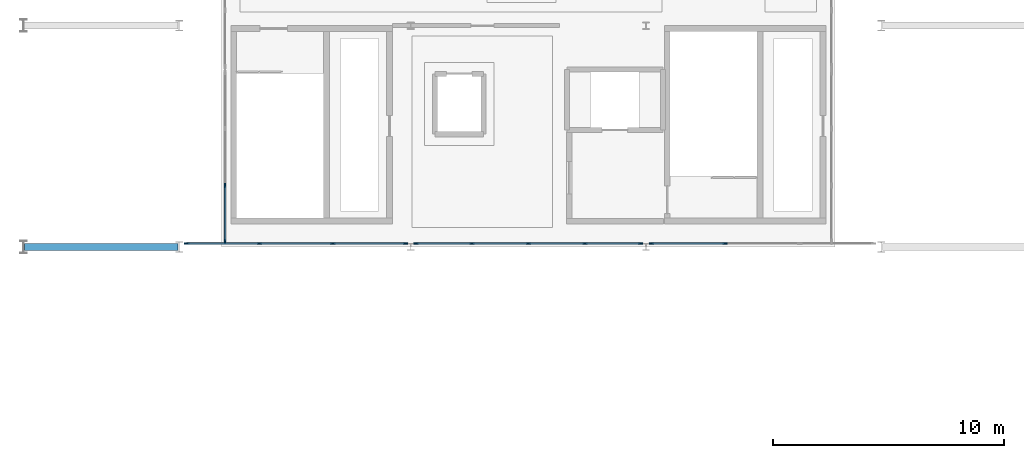
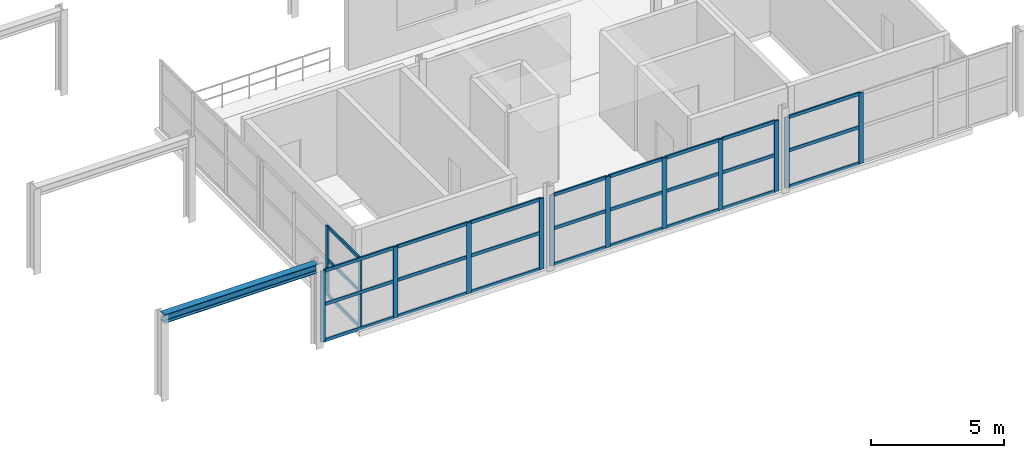
# One storey, part 14 of 52: 40 members, 1 beam, 4 elements without a shape of their own.
"""IFC4 building model written with IfcOpenShell, lengths in metres."""

from ifc_helpers import new_model, si_unit, direction, frame, origin, origin_2d, place, context, subcontext, project, spatial, rectangle, i_section, extrude, material, layer, layer_set, material_profile, profile_set, type_object, element, aggregate, save


model = new_model("IFC4")

# Units and contexts
model_context = context("Model", 3, precision=1e-05, world=origin(), true_north=direction((0.0, 1.0)))
body_context = subcontext(model_context, "Body", "Model", "MODEL_VIEW")
ifc_project = project(units=[si_unit("LENGTHUNIT", "METRE"), si_unit("AREAUNIT", "SQUARE_METRE"), si_unit("VOLUMEUNIT", "CUBIC_METRE"), si_unit("PLANEANGLEUNIT", "RADIAN"), si_unit("MASSUNIT", "GRAM", prefix="KILO")], contexts=[model_context])

# Site, building, storey
site_placement = place(None, origin())
site = spatial("IfcSite", under=ifc_project, at=site_placement, CompositionType="ELEMENT")
building_placement = place(site_placement, origin())
building = spatial("IfcBuilding", under=site, at=building_placement, Name="Myrtia Square Station", CompositionType="ELEMENT")
storey_placement = place(building_placement, frame((0.0, 0.0, 15.0)))
storey = spatial("IfcBuildingStorey", under=building, at=storey_placement, Name="L03", CompositionType="ELEMENT", Elevation=15.0)

# Beam
ifc_material_1 = material(Name="Steel S355", Category="steel")
ifc_material_profile_1 = material_profile(ifc_material_1, i_section(OverallWidth=0.300048828125, OverallDepth=0.39990234375, WebThickness=0.013427734375, FlangeThickness=0.02392578125, FilletRadius=0.027099609375, at=origin_2d()), Name="HEB 400")
ifc_profile_set_1 = profile_set([ifc_material_profile_1], Name="Steel S355")
beam_type = type_object("IfcBeamType", Name="BM-HEB400", PredefinedType="BEAM", material=ifc_profile_set_1)
beam_placement = place(storey_placement, frame((72.64990234375, 28.800048828125, 3.64990234375), z_axis=(1.0, 0.0, 0.0), x_axis=(0.0, 1.0, 0.0)))
element("IfcBeam", 1, at=beam_placement, inside=storey, type_object=beam_type, Name="Colonnade overhang tie beam 001", PredefinedType="BEAM", context=body_context, shape_type="SweptSolid", body=[
    extrude(i_section(OverallWidth=0.300048828125, OverallDepth=0.39990234375, WebThickness=0.013427734375, FlangeThickness=0.02392578125, FilletRadius=0.027099609375, at=origin_2d()), origin(), (0.0, 0.0, 1.0), 6.650146484375),
])

# Curtain wall, members
ifc_material_2 = material(Name="Dark bronze anodised aluminium", Category="aluminium")
ifc_layer_1 = layer(ifc_material_2, 0.159912109375, Name="Dark bronze anodised aluminium")
ifc_layer_set_1 = layer_set([ifc_layer_1], Name="Dark bronze anodised aluminium")
curtain_wall_type_1 = type_object("IfcCurtainWallType", Name="CW-TYPE-07-740x320", PredefinedType="USERDEFINED", material=ifc_layer_set_1)
curtain_wall_1_placement = place(storey_placement, origin())
curtain_wall_1 = element("IfcCurtainWall", 2, at=curtain_wall_1_placement, inside=storey, type_object=curtain_wall_type_1, Name="Concourse curtain wall CW-L03-033", ObjectType="CONCOURSE CURTAIN WALL", PredefinedType="USERDEFINED")
ifc_material_profile_2 = material_profile(ifc_material_2, rectangle(XDim=0.06494140625, YDim=0.199951171875, at=origin_2d()), Name="ALU-M 65x200")
ifc_profile_set_2 = profile_set([ifc_material_profile_2], Name="Dark bronze anodised aluminium")
member_type_1 = type_object("IfcMemberType", Name="CWM-65x200", PredefinedType="MULLION", material=ifc_profile_set_2)
member_1_placement = place(storey_placement, frame((81.35009765625, 29.032470703125, 0.0), z_axis=(0.0, 0.0, 1.0), x_axis=(-1.0, 0.0, 0.0)))
member_1 = element("IfcMember", 3, at=member_1_placement, type_object=member_type_1, Name="CW-033 mullion 1", PredefinedType="MULLION", context=body_context, shape_type="SweptSolid", body=[
    extrude(rectangle(XDim=0.06494140625, YDim=0.199951171875, at=origin_2d()), origin(), (0.0, 0.0, 1.0), 3.199951171875),
])
member_2_placement = place(storey_placement, frame((81.35009765625, 31.466552734375, 0.0), z_axis=(0.0, 0.0, 1.0), x_axis=(-1.0, 0.0, 0.0)))
member_2 = element("IfcMember", 4, at=member_2_placement, type_object=member_type_1, Name="CW-033 mullion 2", PredefinedType="MULLION", context=body_context, shape_type="SweptSolid", body=[
    extrude(rectangle(XDim=0.06494140625, YDim=0.199951171875, at=origin_2d()), origin(), (0.0, 0.0, 1.0), 3.199951171875),
])

ifc_layer_2 = layer(ifc_material_2, 0.159912109375, Name="Dark bronze anodised aluminium")
ifc_layer_set_2 = layer_set([ifc_layer_2], Name="Dark bronze anodised aluminium")
curtain_wall_type_2 = type_object("IfcCurtainWallType", Name="CW-TYPE-15-955x325", PredefinedType="USERDEFINED", material=ifc_layer_set_2)
curtain_wall_2_placement = place(storey_placement, origin())
curtain_wall_2 = element("IfcCurtainWall", 5, at=curtain_wall_2_placement, inside=storey, type_object=curtain_wall_type_2, Name="Concourse curtain wall CW-L03-053", ObjectType="CONCOURSE CURTAIN WALL", PredefinedType="USERDEFINED")
member_3_placement = place(storey_placement, frame((79.6826171875, 28.949951171875, 0.0), z_axis=(0.0, 0.0, 1.0), x_axis=(0.0, 1.0, 0.0)))
member_3 = element("IfcMember", 6, at=member_3_placement, type_object=member_type_1, Name="CW-053 mullion 1", PredefinedType="MULLION", context=body_context, shape_type="SweptSolid", body=[
    extrude(rectangle(XDim=0.06494140625, YDim=0.199951171875, at=origin_2d()), origin(), (0.0, 0.0, 1.0), 3.25),
])
member_4_placement = place(storey_placement, frame((82.833251953125, 28.949951171875, 0.0), z_axis=(0.0, 0.0, 1.0), x_axis=(0.0, 1.0, 0.0)))
member_4 = element("IfcMember", 7, at=member_4_placement, type_object=member_type_1, Name="CW-053 mullion 2", PredefinedType="MULLION", context=body_context, shape_type="SweptSolid", body=[
    extrude(rectangle(XDim=0.06494140625, YDim=0.199951171875, at=origin_2d()), origin(), (0.0, 0.0, 1.0), 3.25),
])
member_5_placement = place(storey_placement, frame((86.0166015625, 28.949951171875, 0.0), z_axis=(0.0, 0.0, 1.0), x_axis=(0.0, 1.0, 0.0)))
member_5 = element("IfcMember", 8, at=member_5_placement, type_object=member_type_1, Name="CW-053 mullion 3", PredefinedType="MULLION", context=body_context, shape_type="SweptSolid", body=[
    extrude(rectangle(XDim=0.06494140625, YDim=0.199951171875, at=origin_2d()), origin(), (0.0, 0.0, 1.0), 3.25),
])
member_6_placement = place(storey_placement, frame((89.16748046875, 28.949951171875, 0.0), z_axis=(0.0, 0.0, 1.0), x_axis=(0.0, 1.0, 0.0)))
member_6 = element("IfcMember", 9, at=member_6_placement, type_object=member_type_1, Name="CW-053 mullion 4", PredefinedType="MULLION", context=body_context, shape_type="SweptSolid", body=[
    extrude(rectangle(XDim=0.06494140625, YDim=0.199951171875, at=origin_2d()), origin(), (0.0, 0.0, 1.0), 3.25),
])

ifc_layer_3 = layer(ifc_material_2, 0.159912109375, Name="Dark bronze anodised aluminium")
ifc_layer_set_3 = layer_set([ifc_layer_3], Name="Dark bronze anodised aluminium")
curtain_wall_type_3 = type_object("IfcCurtainWallType", Name="CW-TYPE-16-980x325", PredefinedType="USERDEFINED", material=ifc_layer_set_3)
curtain_wall_3_placement = place(storey_placement, origin())
curtain_wall_3 = element("IfcCurtainWall", 10, at=curtain_wall_3_placement, inside=storey, type_object=curtain_wall_type_3, Name="Concourse curtain wall CW-L03-055", ObjectType="CONCOURSE CURTAIN WALL", PredefinedType="USERDEFINED")
member_7_placement = place(storey_placement, frame((89.632568359375, 28.949951171875, 0.0), z_axis=(0.0, 0.0, 1.0), x_axis=(0.0, 1.0, 0.0)))
member_7 = element("IfcMember", 11, at=member_7_placement, type_object=member_type_1, Name="CW-055 mullion 1", PredefinedType="MULLION", context=body_context, shape_type="SweptSolid", body=[
    extrude(rectangle(XDim=0.06494140625, YDim=0.199951171875, at=origin_2d()), origin(), (0.0, 0.0, 1.0), 3.25),
])
member_8_placement = place(storey_placement, frame((92.050048828125, 28.949951171875, 0.0), z_axis=(0.0, 0.0, 1.0), x_axis=(0.0, 1.0, 0.0)))
member_8 = element("IfcMember", 12, at=member_8_placement, type_object=member_type_1, Name="CW-055 mullion 2", PredefinedType="MULLION", context=body_context, shape_type="SweptSolid", body=[
    extrude(rectangle(XDim=0.06494140625, YDim=0.199951171875, at=origin_2d()), origin(), (0.0, 0.0, 1.0), 3.25),
])
member_9_placement = place(storey_placement, frame((94.5, 28.949951171875, 0.0), z_axis=(0.0, 0.0, 1.0), x_axis=(0.0, 1.0, 0.0)))
member_9 = element("IfcMember", 13, at=member_9_placement, type_object=member_type_1, Name="CW-055 mullion 3", PredefinedType="MULLION", context=body_context, shape_type="SweptSolid", body=[
    extrude(rectangle(XDim=0.06494140625, YDim=0.199951171875, at=origin_2d()), origin(), (0.0, 0.0, 1.0), 3.25),
])
member_10_placement = place(storey_placement, frame((96.949951171875, 28.949951171875, 0.0), z_axis=(0.0, 0.0, 1.0), x_axis=(0.0, 1.0, 0.0)))
member_10 = element("IfcMember", 14, at=member_10_placement, type_object=member_type_1, Name="CW-055 mullion 4", PredefinedType="MULLION", context=body_context, shape_type="SweptSolid", body=[
    extrude(rectangle(XDim=0.06494140625, YDim=0.199951171875, at=origin_2d()), origin(), (0.0, 0.0, 1.0), 3.25),
])
member_11_placement = place(storey_placement, frame((99.367431640625, 28.949951171875, 0.0), z_axis=(0.0, 0.0, 1.0), x_axis=(0.0, 1.0, 0.0)))
member_11 = element("IfcMember", 15, at=member_11_placement, type_object=member_type_1, Name="CW-055 mullion 5", PredefinedType="MULLION", context=body_context, shape_type="SweptSolid", body=[
    extrude(rectangle(XDim=0.06494140625, YDim=0.199951171875, at=origin_2d()), origin(), (0.0, 0.0, 1.0), 3.25),
])

ifc_layer_4 = layer(ifc_material_2, 0.159912109375, Name="Dark bronze anodised aluminium")
ifc_layer_set_4 = layer_set([ifc_layer_4], Name="Dark bronze anodised aluminium")
curtain_wall_type_4 = type_object("IfcCurtainWallType", Name="CW-TYPE-17-970x325", PredefinedType="USERDEFINED", material=ifc_layer_set_4)
curtain_wall_4_placement = place(storey_placement, origin())
curtain_wall_4 = element("IfcCurtainWall", 16, at=curtain_wall_4_placement, inside=storey, type_object=curtain_wall_type_4, Name="Concourse curtain wall CW-L03-057", ObjectType="CONCOURSE CURTAIN WALL", PredefinedType="USERDEFINED")
member_12_placement = place(storey_placement, frame((99.83251953125, 28.949951171875, 0.0), z_axis=(0.0, 0.0, 1.0), x_axis=(0.0, 1.0, 0.0)))
member_12 = element("IfcMember", 17, at=member_12_placement, type_object=member_type_1, Name="CW-057 mullion 1", PredefinedType="MULLION", context=body_context, shape_type="SweptSolid", body=[
    extrude(rectangle(XDim=0.06494140625, YDim=0.199951171875, at=origin_2d()), origin(), (0.0, 0.0, 1.0), 3.25),
])
member_13_placement = place(storey_placement, frame((103.033447265625, 28.949951171875, 0.0), z_axis=(0.0, 0.0, 1.0), x_axis=(0.0, 1.0, 0.0)))
member_13 = element("IfcMember", 18, at=member_13_placement, type_object=member_type_1, Name="CW-057 mullion 2", PredefinedType="MULLION", context=body_context, shape_type="SweptSolid", body=[
    extrude(rectangle(XDim=0.06494140625, YDim=0.199951171875, at=origin_2d()), origin(), (0.0, 0.0, 1.0), 3.25),
])

# Member
ifc_material_profile_3 = material_profile(ifc_material_2, rectangle(XDim=0.06494140625, YDim=0.14990234375, at=origin_2d()), Name="ALU-T 65x150")
ifc_profile_set_3 = profile_set([ifc_material_profile_3], Name="Dark bronze anodised aluminium")
member_type_2 = type_object("IfcMemberType", Name="CWT-65x150", PredefinedType="USERDEFINED", material=ifc_profile_set_3)
member_14_placement = place(storey_placement, frame((81.35009765625, 29.06494140625, 0.032470703125), z_axis=(0.0, 1.0, 0.0), x_axis=(-1.0, 0.0, 0.0)))
member_14 = element("IfcMember", 19, at=member_14_placement, type_object=member_type_2, Name="CW-033 transom 1.1", ObjectType="TRANSOM", PredefinedType="USERDEFINED", context=body_context, shape_type="SweptSolid", body=[
    extrude(rectangle(XDim=0.06494140625, YDim=0.14990234375, at=origin_2d()), origin(), (0.0, 0.0, 1.0), 2.369140625),
])

member_15_placement = place(storey_placement, frame((81.35009765625, 29.06494140625, 1.6640625), z_axis=(0.0, 1.0, 0.0), x_axis=(-1.0, 0.0, 0.0)))
member_15 = element("IfcMember", 20, at=member_15_placement, type_object=member_type_2, Name="CW-033 transom 1.2", ObjectType="TRANSOM", PredefinedType="USERDEFINED", context=body_context, shape_type="SweptSolid", body=[
    extrude(rectangle(XDim=0.06494140625, YDim=0.14990234375, at=origin_2d()), origin(), (0.0, 0.0, 1.0), 2.369140625),
])

member_16_placement = place(storey_placement, frame((81.35009765625, 29.06494140625, 3.16748046875), z_axis=(0.0, 1.0, 0.0), x_axis=(-1.0, 0.0, 0.0)))
member_16 = element("IfcMember", 21, at=member_16_placement, type_object=member_type_2, Name="CW-033 transom 1.3", ObjectType="TRANSOM", PredefinedType="USERDEFINED", context=body_context, shape_type="SweptSolid", body=[
    extrude(rectangle(XDim=0.06494140625, YDim=0.14990234375, at=origin_2d()), origin(), (0.0, 0.0, 1.0), 2.369140625),
])

aggregate(curtain_wall_1, [member_1, member_2, member_14, member_15, member_16])

member_17_placement = place(storey_placement, frame((79.715087890625, 28.949951171875, 0.032470703125), z_axis=(1.0, 0.0, 0.0), x_axis=(0.0, 1.0, 0.0)))
member_17 = element("IfcMember", 22, at=member_17_placement, type_object=member_type_2, Name="CW-053 transom 1.1", ObjectType="TRANSOM", PredefinedType="USERDEFINED", context=body_context, shape_type="SweptSolid", body=[
    extrude(rectangle(XDim=0.06494140625, YDim=0.14990234375, at=origin_2d()), origin(), (0.0, 0.0, 1.0), 3.085693359375),
])

member_18_placement = place(storey_placement, frame((79.715087890625, 28.949951171875, 1.68994140625), z_axis=(1.0, 0.0, 0.0), x_axis=(0.0, 1.0, 0.0)))
member_18 = element("IfcMember", 23, at=member_18_placement, type_object=member_type_2, Name="CW-053 transom 1.2", ObjectType="TRANSOM", PredefinedType="USERDEFINED", context=body_context, shape_type="SweptSolid", body=[
    extrude(rectangle(XDim=0.06494140625, YDim=0.14990234375, at=origin_2d()), origin(), (0.0, 0.0, 1.0), 3.085693359375),
])

member_19_placement = place(storey_placement, frame((79.715087890625, 28.949951171875, 3.217529296875), z_axis=(1.0, 0.0, 0.0), x_axis=(0.0, 1.0, 0.0)))
member_19 = element("IfcMember", 24, at=member_19_placement, type_object=member_type_2, Name="CW-053 transom 1.3", ObjectType="TRANSOM", PredefinedType="USERDEFINED", context=body_context, shape_type="SweptSolid", body=[
    extrude(rectangle(XDim=0.06494140625, YDim=0.14990234375, at=origin_2d()), origin(), (0.0, 0.0, 1.0), 3.085693359375),
])

member_20_placement = place(storey_placement, frame((82.86572265625, 28.949951171875, 0.032470703125), z_axis=(1.0, 0.0, 0.0), x_axis=(0.0, 1.0, 0.0)))
member_20 = element("IfcMember", 25, at=member_20_placement, type_object=member_type_2, Name="CW-053 transom 2.1", ObjectType="TRANSOM", PredefinedType="USERDEFINED", context=body_context, shape_type="SweptSolid", body=[
    extrude(rectangle(XDim=0.06494140625, YDim=0.14990234375, at=origin_2d()), origin(), (0.0, 0.0, 1.0), 3.118408203125),
])

member_21_placement = place(storey_placement, frame((82.86572265625, 28.949951171875, 1.68994140625), z_axis=(1.0, 0.0, 0.0), x_axis=(0.0, 1.0, 0.0)))
member_21 = element("IfcMember", 26, at=member_21_placement, type_object=member_type_2, Name="CW-053 transom 2.2", ObjectType="TRANSOM", PredefinedType="USERDEFINED", context=body_context, shape_type="SweptSolid", body=[
    extrude(rectangle(XDim=0.06494140625, YDim=0.14990234375, at=origin_2d()), origin(), (0.0, 0.0, 1.0), 3.118408203125),
])

member_22_placement = place(storey_placement, frame((82.86572265625, 28.949951171875, 3.217529296875), z_axis=(1.0, 0.0, 0.0), x_axis=(0.0, 1.0, 0.0)))
member_22 = element("IfcMember", 27, at=member_22_placement, type_object=member_type_2, Name="CW-053 transom 2.3", ObjectType="TRANSOM", PredefinedType="USERDEFINED", context=body_context, shape_type="SweptSolid", body=[
    extrude(rectangle(XDim=0.06494140625, YDim=0.14990234375, at=origin_2d()), origin(), (0.0, 0.0, 1.0), 3.118408203125),
])

member_23_placement = place(storey_placement, frame((86.049072265625, 28.949951171875, 0.032470703125), z_axis=(1.0, 0.0, 0.0), x_axis=(0.0, 1.0, 0.0)))
member_23 = element("IfcMember", 28, at=member_23_placement, type_object=member_type_2, Name="CW-053 transom 3.1", ObjectType="TRANSOM", PredefinedType="USERDEFINED", context=body_context, shape_type="SweptSolid", body=[
    extrude(rectangle(XDim=0.06494140625, YDim=0.14990234375, at=origin_2d()), origin(), (0.0, 0.0, 1.0), 3.0859375),
])

member_24_placement = place(storey_placement, frame((86.049072265625, 28.949951171875, 1.68994140625), z_axis=(1.0, 0.0, 0.0), x_axis=(0.0, 1.0, 0.0)))
member_24 = element("IfcMember", 29, at=member_24_placement, type_object=member_type_2, Name="CW-053 transom 3.2", ObjectType="TRANSOM", PredefinedType="USERDEFINED", context=body_context, shape_type="SweptSolid", body=[
    extrude(rectangle(XDim=0.06494140625, YDim=0.14990234375, at=origin_2d()), origin(), (0.0, 0.0, 1.0), 3.0859375),
])

member_25_placement = place(storey_placement, frame((86.049072265625, 28.949951171875, 3.217529296875), z_axis=(1.0, 0.0, 0.0), x_axis=(0.0, 1.0, 0.0)))
member_25 = element("IfcMember", 30, at=member_25_placement, type_object=member_type_2, Name="CW-053 transom 3.3", ObjectType="TRANSOM", PredefinedType="USERDEFINED", context=body_context, shape_type="SweptSolid", body=[
    extrude(rectangle(XDim=0.06494140625, YDim=0.14990234375, at=origin_2d()), origin(), (0.0, 0.0, 1.0), 3.0859375),
])

aggregate(curtain_wall_2, [member_3, member_4, member_5, member_6, member_17, member_18, member_19, member_20, member_21, member_22, member_23, member_24, member_25])

member_26_placement = place(storey_placement, frame((89.6650390625, 28.949951171875, 0.032470703125), z_axis=(1.0, 0.0, 0.0), x_axis=(0.0, 1.0, 0.0)))
member_26 = element("IfcMember", 31, at=member_26_placement, type_object=member_type_2, Name="CW-055 transom 1.1", ObjectType="TRANSOM", PredefinedType="USERDEFINED", context=body_context, shape_type="SweptSolid", body=[
    extrude(rectangle(XDim=0.06494140625, YDim=0.14990234375, at=origin_2d()), origin(), (0.0, 0.0, 1.0), 2.3525390625),
])

member_27_placement = place(storey_placement, frame((89.6650390625, 28.949951171875, 1.68994140625), z_axis=(1.0, 0.0, 0.0), x_axis=(0.0, 1.0, 0.0)))
member_27 = element("IfcMember", 32, at=member_27_placement, type_object=member_type_2, Name="CW-055 transom 1.2", ObjectType="TRANSOM", PredefinedType="USERDEFINED", context=body_context, shape_type="SweptSolid", body=[
    extrude(rectangle(XDim=0.06494140625, YDim=0.14990234375, at=origin_2d()), origin(), (0.0, 0.0, 1.0), 2.3525390625),
])

member_28_placement = place(storey_placement, frame((89.6650390625, 28.949951171875, 3.217529296875), z_axis=(1.0, 0.0, 0.0), x_axis=(0.0, 1.0, 0.0)))
member_28 = element("IfcMember", 33, at=member_28_placement, type_object=member_type_2, Name="CW-055 transom 1.3", ObjectType="TRANSOM", PredefinedType="USERDEFINED", context=body_context, shape_type="SweptSolid", body=[
    extrude(rectangle(XDim=0.06494140625, YDim=0.14990234375, at=origin_2d()), origin(), (0.0, 0.0, 1.0), 2.3525390625),
])

member_29_placement = place(storey_placement, frame((92.08251953125, 28.949951171875, 0.032470703125), z_axis=(1.0, 0.0, 0.0), x_axis=(0.0, 1.0, 0.0)))
member_29 = element("IfcMember", 34, at=member_29_placement, type_object=member_type_2, Name="CW-055 transom 2.1", ObjectType="TRANSOM", PredefinedType="USERDEFINED", context=body_context, shape_type="SweptSolid", body=[
    extrude(rectangle(XDim=0.06494140625, YDim=0.14990234375, at=origin_2d()), origin(), (0.0, 0.0, 1.0), 2.385009765625),
])

member_30_placement = place(storey_placement, frame((92.08251953125, 28.949951171875, 1.68994140625), z_axis=(1.0, 0.0, 0.0), x_axis=(0.0, 1.0, 0.0)))
member_30 = element("IfcMember", 35, at=member_30_placement, type_object=member_type_2, Name="CW-055 transom 2.2", ObjectType="TRANSOM", PredefinedType="USERDEFINED", context=body_context, shape_type="SweptSolid", body=[
    extrude(rectangle(XDim=0.06494140625, YDim=0.14990234375, at=origin_2d()), origin(), (0.0, 0.0, 1.0), 2.385009765625),
])

member_31_placement = place(storey_placement, frame((92.08251953125, 28.949951171875, 3.217529296875), z_axis=(1.0, 0.0, 0.0), x_axis=(0.0, 1.0, 0.0)))
member_31 = element("IfcMember", 36, at=member_31_placement, type_object=member_type_2, Name="CW-055 transom 2.3", ObjectType="TRANSOM", PredefinedType="USERDEFINED", context=body_context, shape_type="SweptSolid", body=[
    extrude(rectangle(XDim=0.06494140625, YDim=0.14990234375, at=origin_2d()), origin(), (0.0, 0.0, 1.0), 2.385009765625),
])

member_32_placement = place(storey_placement, frame((94.532470703125, 28.949951171875, 0.032470703125), z_axis=(1.0, 0.0, 0.0), x_axis=(0.0, 1.0, 0.0)))
member_32 = element("IfcMember", 37, at=member_32_placement, type_object=member_type_2, Name="CW-055 transom 3.1", ObjectType="TRANSOM", PredefinedType="USERDEFINED", context=body_context, shape_type="SweptSolid", body=[
    extrude(rectangle(XDim=0.06494140625, YDim=0.14990234375, at=origin_2d()), origin(), (0.0, 0.0, 1.0), 2.385009765625),
])

member_33_placement = place(storey_placement, frame((94.532470703125, 28.949951171875, 1.68994140625), z_axis=(1.0, 0.0, 0.0), x_axis=(0.0, 1.0, 0.0)))
member_33 = element("IfcMember", 38, at=member_33_placement, type_object=member_type_2, Name="CW-055 transom 3.2", ObjectType="TRANSOM", PredefinedType="USERDEFINED", context=body_context, shape_type="SweptSolid", body=[
    extrude(rectangle(XDim=0.06494140625, YDim=0.14990234375, at=origin_2d()), origin(), (0.0, 0.0, 1.0), 2.385009765625),
])

member_34_placement = place(storey_placement, frame((94.532470703125, 28.949951171875, 3.217529296875), z_axis=(1.0, 0.0, 0.0), x_axis=(0.0, 1.0, 0.0)))
member_34 = element("IfcMember", 39, at=member_34_placement, type_object=member_type_2, Name="CW-055 transom 3.3", ObjectType="TRANSOM", PredefinedType="USERDEFINED", context=body_context, shape_type="SweptSolid", body=[
    extrude(rectangle(XDim=0.06494140625, YDim=0.14990234375, at=origin_2d()), origin(), (0.0, 0.0, 1.0), 2.385009765625),
])

member_35_placement = place(storey_placement, frame((96.982421875, 28.949951171875, 0.032470703125), z_axis=(1.0, 0.0, 0.0), x_axis=(0.0, 1.0, 0.0)))
member_35 = element("IfcMember", 40, at=member_35_placement, type_object=member_type_2, Name="CW-055 transom 4.1", ObjectType="TRANSOM", PredefinedType="USERDEFINED", context=body_context, shape_type="SweptSolid", body=[
    extrude(rectangle(XDim=0.06494140625, YDim=0.14990234375, at=origin_2d()), origin(), (0.0, 0.0, 1.0), 2.3525390625),
])

member_36_placement = place(storey_placement, frame((96.982421875, 28.949951171875, 1.68994140625), z_axis=(1.0, 0.0, 0.0), x_axis=(0.0, 1.0, 0.0)))
member_36 = element("IfcMember", 41, at=member_36_placement, type_object=member_type_2, Name="CW-055 transom 4.2", ObjectType="TRANSOM", PredefinedType="USERDEFINED", context=body_context, shape_type="SweptSolid", body=[
    extrude(rectangle(XDim=0.06494140625, YDim=0.14990234375, at=origin_2d()), origin(), (0.0, 0.0, 1.0), 2.3525390625),
])

member_37_placement = place(storey_placement, frame((96.982421875, 28.949951171875, 3.217529296875), z_axis=(1.0, 0.0, 0.0), x_axis=(0.0, 1.0, 0.0)))
member_37 = element("IfcMember", 42, at=member_37_placement, type_object=member_type_2, Name="CW-055 transom 4.3", ObjectType="TRANSOM", PredefinedType="USERDEFINED", context=body_context, shape_type="SweptSolid", body=[
    extrude(rectangle(XDim=0.06494140625, YDim=0.14990234375, at=origin_2d()), origin(), (0.0, 0.0, 1.0), 2.3525390625),
])

aggregate(curtain_wall_3, [member_7, member_8, member_9, member_10, member_11, member_26, member_27, member_28, member_29, member_30, member_31, member_32, member_33, member_34, member_35, member_36, member_37])

member_38_placement = place(storey_placement, frame((99.864990234375, 28.949951171875, 0.032470703125), z_axis=(1.0, 0.0, 0.0), x_axis=(0.0, 1.0, 0.0)))
member_38 = element("IfcMember", 43, at=member_38_placement, type_object=member_type_2, Name="CW-057 transom 1.1", ObjectType="TRANSOM", PredefinedType="USERDEFINED", context=body_context, shape_type="SweptSolid", body=[
    extrude(rectangle(XDim=0.06494140625, YDim=0.14990234375, at=origin_2d()), origin(), (0.0, 0.0, 1.0), 3.1357421875),
])

member_39_placement = place(storey_placement, frame((99.864990234375, 28.949951171875, 1.68994140625), z_axis=(1.0, 0.0, 0.0), x_axis=(0.0, 1.0, 0.0)))
member_39 = element("IfcMember", 44, at=member_39_placement, type_object=member_type_2, Name="CW-057 transom 1.2", ObjectType="TRANSOM", PredefinedType="USERDEFINED", context=body_context, shape_type="SweptSolid", body=[
    extrude(rectangle(XDim=0.06494140625, YDim=0.14990234375, at=origin_2d()), origin(), (0.0, 0.0, 1.0), 3.1357421875),
])

member_40_placement = place(storey_placement, frame((99.864990234375, 28.949951171875, 3.217529296875), z_axis=(1.0, 0.0, 0.0), x_axis=(0.0, 1.0, 0.0)))
member_40 = element("IfcMember", 45, at=member_40_placement, type_object=member_type_2, Name="CW-057 transom 1.3", ObjectType="TRANSOM", PredefinedType="USERDEFINED", context=body_context, shape_type="SweptSolid", body=[
    extrude(rectangle(XDim=0.06494140625, YDim=0.14990234375, at=origin_2d()), origin(), (0.0, 0.0, 1.0), 3.1357421875),
])

aggregate(curtain_wall_4, [member_12, member_13, member_38, member_39, member_40])

save(model, "model.ifc")
